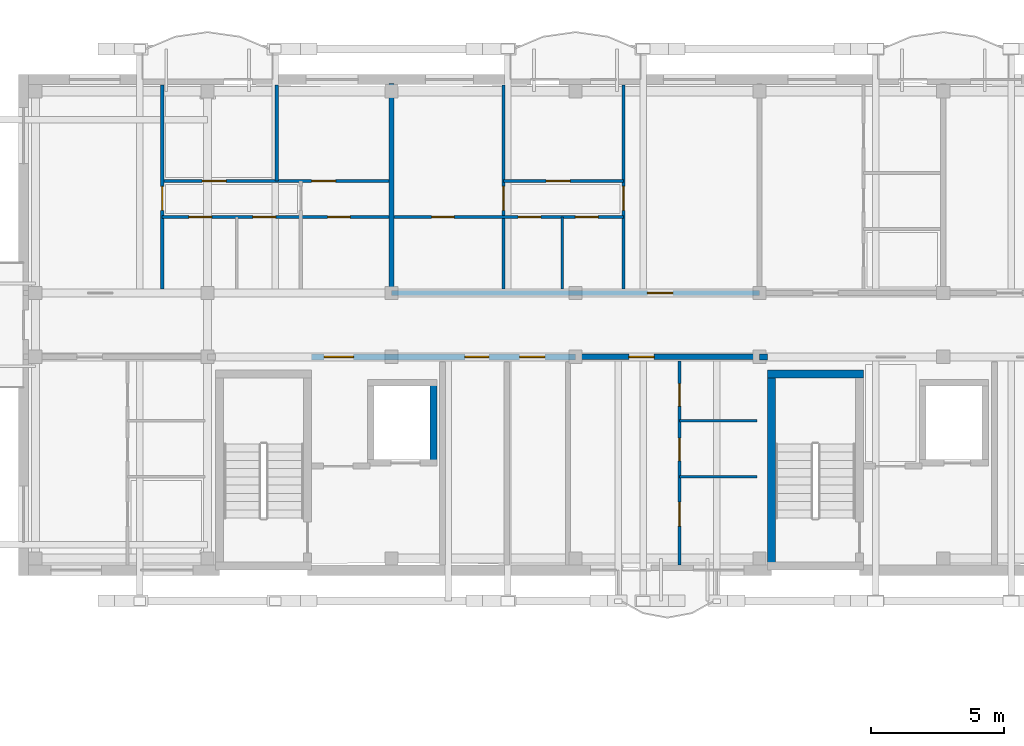
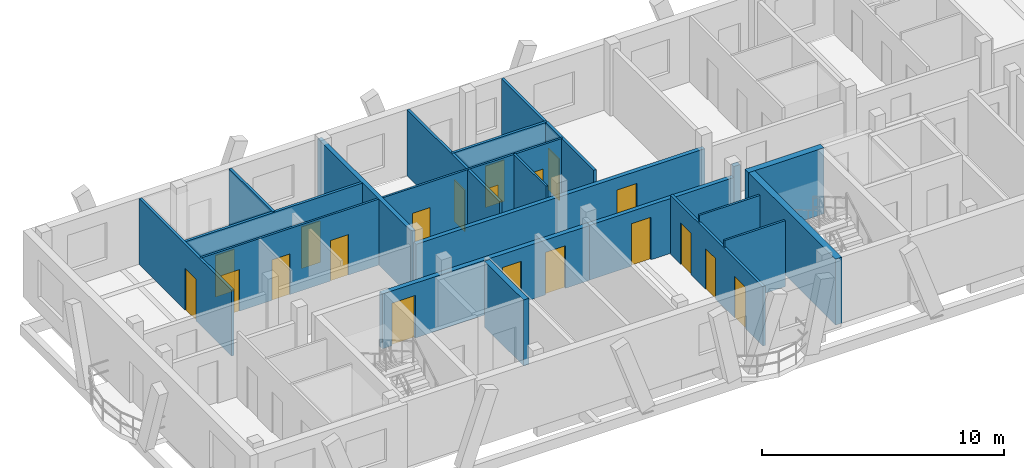
# One storey, part 152 of 189: 20 doors, 20 walls, 20 openings.
"""IFC4 building model written with IfcOpenShell, lengths in metres."""

from ifc_helpers import new_model, si_unit, direction, frame, frame_2d, origin, origin_with_axes, place, context, subcontext, project, spatial, rectangle, extrude, material, layer, layer_set, type_object, element, fill, save


model = new_model("IFC4")

# Units and contexts
model_context = context("Model", 3, precision=1e-05, world=origin(), true_north=direction((0.0, 1.0)))
body_context = subcontext(model_context, "Body", "Model", "MODEL_VIEW")
ifc_project = project(units=[si_unit("LENGTHUNIT", "METRE"), si_unit("AREAUNIT", "SQUARE_METRE"), si_unit("VOLUMEUNIT", "CUBIC_METRE"), si_unit("PLANEANGLEUNIT", "RADIAN"), si_unit("MASSUNIT", "GRAM", prefix="KILO")], contexts=[model_context])

# Site, building, storey
site_placement = place(None, origin())
site = spatial("IfcSite", under=ifc_project, at=site_placement, CompositionType="ELEMENT")
building_placement = place(site_placement, origin())
building = spatial("IfcBuilding", under=site, at=building_placement, Name="Zavelmont Quarter", CompositionType="ELEMENT")
storey_placement = place(building_placement, frame((0.0, 0.0, 4.39990234375)))
storey = spatial("IfcBuildingStorey", under=building, at=storey_placement, Name="L01", CompositionType="ELEMENT", Elevation=4.39990234375)

# Wall
ifc_material_1 = material(Name="Calcium-silicate blockwork and acoustic plaster", Category="masonry")
ifc_layer_1 = layer(ifc_material_1, 0.199951171875)
ifc_layer_set_1 = layer_set([ifc_layer_1], Name="Calcium-silicate blockwork and acoustic plaster")
wall_type_1 = type_object("IfcWallType", Name="IW01", PredefinedType="PARTITIONING", material=ifc_layer_set_1)
wall_1_placement = place(storey_placement, frame((13.800048828125, 108.14990234375, 0.0), z_axis=(0.0, 0.0, 1.0), x_axis=(0.0, 1.0, 0.0)))
element("IfcWall", 1, at=wall_1_placement, inside=storey, type_object=wall_type_1, Name="L01 Inter-dwelling compartment wall IW01", PredefinedType="PARTITIONING", context=body_context, shape_type="SweptSolid", body=[
    extrude(rectangle(XDim=7.7001953125, YDim=0.199951171875, at=frame_2d((3.85009765625, 0.0))), origin(), (0.0, 0.0, 1.0), 3.330078125),
])

# Wall, opening, door
wall_2_placement = place(storey_placement, frame((13.800048828125, 108.0, 0.0), z_axis=(0.0, 0.0, 1.0), x_axis=(1.0, 0.0, 0.0)))
wall_2 = element("IfcWall", 2, at=wall_2_placement, inside=storey, type_object=wall_type_1, Name="L01 Corridor compartment wall IW01", PredefinedType="PARTITIONING", context=body_context, shape_type="SweptSolid", body=[
    extrude(rectangle(XDim=13.800048828125, YDim=0.199951171875, at=frame_2d((6.89990234375, 0.0))), origin(), (0.0, 0.0, 1.0), 2.77001953125),
])
opening_1_placement = place(wall_2_placement, frame((9.60009765625, 0.0, 0.0)))
opening_1 = element("IfcOpeningElement", 3, at=opening_1_placement, cuts=wall_2, Name="Opening DR02", PredefinedType="OPENING", context=body_context, shape_type="SweptSolid", body=[
    extrude(rectangle(XDim=0.949951171875, YDim=2.14990234375, at=frame_2d((0.47509765625, 1.074951171875))), frame((0.0, 0.11181640625, 0.0), z_axis=(0.0, -1.0, 0.0), x_axis=(1.0, 0.0, 0.0)), (0.0, 0.0, 1.0), 0.223876953125),
])
ifc_material_2 = material(Name="Solid-core oak fire leaf in steel frame", Category="steel")
door_type_1 = type_object("IfcDoorType", Name="DR02", OperationType="NOTDEFINED", PredefinedType="DOOR", material=ifc_material_2)
door_1_placement = place(opening_1_placement, origin_with_axes())
door_1 = element("IfcDoor", 4, at=door_1_placement, inside=storey, type_object=door_type_1, Name="L01 door DR02", OperationType="SINGLE_SWING_RIGHT", OverallHeight=2.14990234375, OverallWidth=0.949951171875, PredefinedType="DOOR", context=body_context, shape_type="SweptSolid", body=[
    extrude(rectangle(XDim=0.949951171875, YDim=2.14990234375, at=frame_2d((0.47509765625, 1.074951171875))), frame((0.0, 0.02490234375, 0.0), z_axis=(0.0, -1.0, 0.0), x_axis=(1.0, 0.0, 0.0)), (0.0, 0.0, 1.0), 0.050048828125),
])
fill(opening_1, door_1)

wall_3_placement = place(storey_placement, frame((20.699951171875, 105.60009765625, 0.0), z_axis=(0.0, 0.0, 1.0), x_axis=(1.0, 0.0, 0.0)))
wall_3 = element("IfcWall", 5, at=wall_3_placement, inside=storey, type_object=wall_type_1, Name="L01 Corridor compartment wall IW01", PredefinedType="PARTITIONING", context=body_context, shape_type="SweptSolid", body=[
    extrude(rectangle(XDim=6.900146484375, YDim=0.199951171875, at=frame_2d((3.4501953125, 0.0))), origin(), (0.0, 0.0, 1.0), 2.77001953125),
])
opening_2_placement = place(wall_3_placement, frame((2.0, 0.0, 0.0)))
opening_2 = element("IfcOpeningElement", 6, at=opening_2_placement, cuts=wall_3, Name="Opening DR02", PredefinedType="OPENING", context=body_context, shape_type="SweptSolid", body=[
    extrude(rectangle(XDim=0.949951171875, YDim=2.14990234375, at=frame_2d((0.47509765625, 1.074951171875))), frame((0.0, 0.11181640625, 0.0), z_axis=(0.0, -1.0, 0.0), x_axis=(1.0, 0.0, 0.0)), (0.0, 0.0, 1.0), 0.223876953125),
])
door_2_placement = place(opening_2_placement, frame((0.949951171875, 0.0, 0.0), z_axis=(0.0, 0.0, 1.0), x_axis=(-1.0, 0.0, 0.0)))
door_2 = element("IfcDoor", 7, at=door_2_placement, inside=storey, type_object=door_type_1, Name="L01 door DR02", OperationType="SINGLE_SWING_RIGHT", OverallHeight=2.14990234375, OverallWidth=0.949951171875, PredefinedType="DOOR", context=body_context, shape_type="SweptSolid", body=[
    extrude(rectangle(XDim=0.949951171875, YDim=2.14990234375, at=frame_2d((0.47509765625, 1.074951171875))), frame((0.0, 0.02490234375, 0.0), z_axis=(0.0, -1.0, 0.0), x_axis=(1.0, 0.0, 0.0)), (0.0, 0.0, 1.0), 0.050048828125),
])
fill(opening_2, door_2)

# Wall, openings, doors
ifc_material_3 = material(Name="Reinforced masonry fire compartment wall", Category="masonry")
ifc_layer_2 = layer(ifc_material_3, 0.22509765625)
ifc_layer_set_2 = layer_set([ifc_layer_2], Name="Reinforced masonry fire compartment wall")
wall_type_2 = type_object("IfcWallType", Name="IW02", PredefinedType="PARTITIONING", material=ifc_layer_set_2)
wall_4_placement = place(storey_placement, frame((10.800048828125, 105.60009765625, 0.0), z_axis=(0.0, 0.0, 1.0), x_axis=(1.0, 0.0, 0.0)))
wall_4 = element("IfcWall", 8, at=wall_4_placement, inside=storey, type_object=wall_type_2, Name="L01 Core corridor fire wall IW02", PredefinedType="PARTITIONING", context=body_context, shape_type="SweptSolid", body=[
    extrude(rectangle(XDim=9.89990234375, YDim=0.22509765625, at=frame_2d((4.949951171875, 0.0))), origin(), (0.0, 0.0, 1.0), 2.77001953125),
])
opening_3_placement = place(wall_4_placement, frame((0.47509765625, 0.0, 0.0)))
opening_3 = element("IfcOpeningElement", 9, at=opening_3_placement, cuts=wall_4, Name="Opening DR10", PredefinedType="OPENING", context=body_context, shape_type="SweptSolid", body=[
    extrude(rectangle(XDim=1.10009765625, YDim=2.14990234375, at=frame_2d((0.550048828125, 1.074951171875))), frame((0.0, 0.12451171875, 0.0), z_axis=(0.0, -1.0, 0.0), x_axis=(1.0, 0.0, 0.0)), (0.0, 0.0, 1.0), 0.2490234375),
])
opening_4_placement = place(wall_4_placement, frame((5.75, 0.0, 0.0)))
opening_4 = element("IfcOpeningElement", 10, at=opening_4_placement, cuts=wall_4, Name="Opening DR11", PredefinedType="OPENING", context=body_context, shape_type="SweptSolid", body=[
    extrude(rectangle(XDim=0.89990234375, YDim=2.10009765625, at=frame_2d((0.449951171875, 1.050048828125))), frame((0.0, 0.12451171875, 0.0), z_axis=(0.0, -1.0, 0.0), x_axis=(1.0, 0.0, 0.0)), (0.0, 0.0, 1.0), 0.2490234375),
])
opening_5_placement = place(wall_4_placement, frame((7.800048828125, 0.0, 0.0)))
opening_5 = element("IfcOpeningElement", 11, at=opening_5_placement, cuts=wall_4, Name="Opening DR02", PredefinedType="OPENING", context=body_context, shape_type="SweptSolid", body=[
    extrude(rectangle(XDim=0.949951171875, YDim=2.14990234375, at=frame_2d((0.47509765625, 1.074951171875))), frame((0.0, 0.12451171875, 0.0), z_axis=(0.0, -1.0, 0.0), x_axis=(1.0, 0.0, 0.0)), (0.0, 0.0, 1.0), 0.2490234375),
])
door_3_placement = place(opening_5_placement, origin_with_axes())
door_3 = element("IfcDoor", 12, at=door_3_placement, inside=storey, type_object=door_type_1, Name="Auxiliary store corridor door", OperationType="SINGLE_SWING_RIGHT", OverallHeight=2.14990234375, OverallWidth=0.949951171875, PredefinedType="DOOR", context=body_context, shape_type="SweptSolid", body=[
    extrude(rectangle(XDim=0.949951171875, YDim=2.14990234375, at=frame_2d((0.47509765625, 1.074951171875))), frame((0.0, 0.02490234375, 0.0), z_axis=(0.0, -1.0, 0.0), x_axis=(1.0, 0.0, 0.0)), (0.0, 0.0, 1.0), 0.050048828125),
])
fill(opening_5, door_3)
ifc_material_4 = material(Name="Painted steel lobby fire door", Category="steel")
door_type_2 = type_object("IfcDoorType", Name="DR10", OperationType="NOTDEFINED", PredefinedType="DOOR", material=ifc_material_4)
door_4_placement = place(opening_3_placement, frame((1.10009765625, 0.0, 0.0), z_axis=(0.0, 0.0, 1.0), x_axis=(-1.0, 0.0, 0.0)))
door_4 = element("IfcDoor", 13, at=door_4_placement, inside=storey, type_object=door_type_2, Name="Core vestibule fire door", OperationType="SINGLE_SWING_RIGHT", OverallHeight=2.14990234375, OverallWidth=1.10009765625, PredefinedType="DOOR", context=body_context, shape_type="SweptSolid", body=[
    extrude(rectangle(XDim=1.10009765625, YDim=2.14990234375, at=frame_2d((0.550048828125, 1.074951171875))), frame((0.0, 0.02490234375, 0.0), z_axis=(0.0, -1.0, 0.0), x_axis=(1.0, 0.0, 0.0)), (0.0, 0.0, 1.0), 0.050048828125),
])
fill(opening_3, door_4)
ifc_material_5 = material(Name="Painted steel service-riser fire door", Category="steel")
door_type_3 = type_object("IfcDoorType", Name="DR11", OperationType="NOTDEFINED", PredefinedType="DOOR", material=ifc_material_5)
door_5_placement = place(opening_4_placement, origin_with_axes())
door_5 = element("IfcDoor", 14, at=door_5_placement, inside=storey, type_object=door_type_3, Name="Service riser fire door", OperationType="SINGLE_SWING_LEFT", OverallHeight=2.10009765625, OverallWidth=0.89990234375, PredefinedType="DOOR", context=body_context, shape_type="SweptSolid", body=[
    extrude(rectangle(XDim=0.89990234375, YDim=2.10009765625, at=frame_2d((0.449951171875, 1.050048828125))), frame((0.0, 0.02490234375, 0.0), z_axis=(0.0, -1.0, 0.0), x_axis=(1.0, 0.0, 0.0)), (0.0, 0.0, 1.0), 0.050048828125),
])
fill(opening_4, door_5)

# Wall
wall_5_placement = place(storey_placement, frame((27.60009765625, 105.60009765625, 0.0), z_axis=(0.0, 0.0, 1.0), x_axis=(1.0, 0.0, 0.0)))
element("IfcWall", 15, at=wall_5_placement, inside=storey, type_object=wall_type_2, Name="L01 Core corridor wall IW02", PredefinedType="PARTITIONING", context=body_context, shape_type="SweptSolid", body=[
    extrude(rectangle(XDim=0.2998046875, YDim=0.22509765625, at=frame_2d((0.14990234375, 0.0))), origin(), (0.0, 0.0, 1.0), 3.330078125),
])

# Wall, opening, door
ifc_material_6 = material(Name="Double gypsum board on acoustic steel stud", Category="steel")
ifc_layer_3 = layer(ifc_material_6, 0.125)
ifc_layer_set_3 = layer_set([ifc_layer_3], Name="Double gypsum board on acoustic steel stud")
wall_type_3 = type_object("IfcWallType", Name="IW03", PredefinedType="PARTITIONING", material=ifc_layer_set_3)
wall_6_placement = place(storey_placement, frame((5.199951171875, 108.14990234375, 0.0), z_axis=(0.0, 0.0, 1.0), x_axis=(0.0, 1.0, 0.0)))
wall_6 = element("IfcWall", 16, at=wall_6_placement, inside=storey, type_object=wall_type_3, Name="L01 Partition IW03", PredefinedType="PARTITIONING", context=body_context, shape_type="SweptSolid", body=[
    extrude(rectangle(XDim=7.650146484375, YDim=0.125, at=frame_2d((3.8251953125, 0.0))), origin(), (0.0, 0.0, 1.0), 3.330078125),
])
opening_6_placement = place(wall_6_placement, frame((2.949951171875, 0.0, 0.0)))
opening_6 = element("IfcOpeningElement", 17, at=opening_6_placement, cuts=wall_6, Name="Opening DR05", PredefinedType="OPENING", context=body_context, shape_type="SweptSolid", body=[
    extrude(rectangle(XDim=0.89990234375, YDim=2.10009765625, at=frame_2d((0.449951171875, 1.050048828125))), frame((0.0, 0.074462890625, 0.0), z_axis=(0.0, -1.0, 0.0), x_axis=(1.0, 0.0, 0.0)), (0.0, 0.0, 1.0), 0.14892578125),
])
ifc_material_7 = material(Name="Engineered oak flush interior door")
door_type_4 = type_object("IfcDoorType", Name="DR05", OperationType="NOTDEFINED", PredefinedType="DOOR", material=ifc_material_7)
door_6_placement = place(opening_6_placement, frame((0.89990234375, 0.0, 0.0), z_axis=(0.0, 0.0, 1.0), x_axis=(-1.0, 0.0, 0.0)))
door_6 = element("IfcDoor", 18, at=door_6_placement, inside=storey, type_object=door_type_4, Name="L01 door DR05", OperationType="SINGLE_SWING_LEFT", OverallHeight=2.10009765625, OverallWidth=0.89990234375, PredefinedType="DOOR", context=body_context, shape_type="SweptSolid", body=[
    extrude(rectangle(XDim=0.89990234375, YDim=2.10009765625, at=frame_2d((0.449951171875, 1.050048828125))), frame((0.0, 0.02490234375, 0.0), z_axis=(0.0, -1.0, 0.0), x_axis=(1.0, 0.0, 0.0)), (0.0, 0.0, 1.0), 0.050048828125),
])
fill(opening_6, door_6)

# Wall
wall_7_placement = place(storey_placement, frame((9.5, 112.199951171875, 0.0), z_axis=(0.0, 0.0, 1.0), x_axis=(0.0, 1.0, 0.0)))
element("IfcWall", 19, at=wall_7_placement, inside=storey, type_object=wall_type_3, Name="L01 Partition IW03", PredefinedType="PARTITIONING", context=body_context, shape_type="SweptSolid", body=[
    extrude(rectangle(XDim=3.60009765625, YDim=0.125, at=frame_2d((1.800048828125, 0.0))), origin(), (0.0, 0.0, 1.0), 3.330078125),
])

# Wall, openings, doors
wall_8_placement = place(storey_placement, frame((5.199951171875, 112.199951171875, 0.0), z_axis=(0.0, 0.0, 1.0), x_axis=(1.0, 0.0, 0.0)))
wall_8 = element("IfcWall", 20, at=wall_8_placement, inside=storey, type_object=wall_type_3, Name="L01 Partition IW03", PredefinedType="PARTITIONING", context=body_context, shape_type="SweptSolid", body=[
    extrude(rectangle(XDim=8.5, YDim=0.125, at=frame_2d((4.25, 0.0))), origin(), (0.0, 0.0, 1.0), 3.330078125),
])
opening_7_placement = place(wall_8_placement, frame((1.5, 0.0, 0.0)))
opening_7 = element("IfcOpeningElement", 21, at=opening_7_placement, cuts=wall_8, Name="Opening DR05", PredefinedType="OPENING", context=body_context, shape_type="SweptSolid", body=[
    extrude(rectangle(XDim=0.89990234375, YDim=2.10009765625, at=frame_2d((0.449951171875, 1.050048828125))), frame((0.0, 0.074462890625, 0.0), z_axis=(0.0, -1.0, 0.0), x_axis=(1.0, 0.0, 0.0)), (0.0, 0.0, 1.0), 0.14892578125),
])
opening_8_placement = place(wall_8_placement, frame((5.60009765625, 0.0, 0.0)))
opening_8 = element("IfcOpeningElement", 22, at=opening_8_placement, cuts=wall_8, Name="Opening DR05", PredefinedType="OPENING", context=body_context, shape_type="SweptSolid", body=[
    extrude(rectangle(XDim=0.89990234375, YDim=2.10009765625, at=frame_2d((0.449951171875, 1.050048828125))), frame((0.0, 0.074462890625, 0.0), z_axis=(0.0, -1.0, 0.0), x_axis=(1.0, 0.0, 0.0)), (0.0, 0.0, 1.0), 0.14892578125),
])
door_7_placement = place(opening_7_placement, origin_with_axes())
door_7 = element("IfcDoor", 23, at=door_7_placement, inside=storey, type_object=door_type_4, Name="L01 door DR05", OperationType="SINGLE_SWING_RIGHT", OverallHeight=2.10009765625, OverallWidth=0.89990234375, PredefinedType="DOOR", context=body_context, shape_type="SweptSolid", body=[
    extrude(rectangle(XDim=0.89990234375, YDim=2.10009765625, at=frame_2d((0.449951171875, 1.050048828125))), frame((0.0, 0.02490234375, 0.0), z_axis=(0.0, -1.0, 0.0), x_axis=(1.0, 0.0, 0.0)), (0.0, 0.0, 1.0), 0.050048828125),
])
fill(opening_7, door_7)
door_8_placement = place(opening_8_placement, frame((0.89990234375, 0.0, 0.0), z_axis=(0.0, 0.0, 1.0), x_axis=(-1.0, 0.0, 0.0)))
door_8 = element("IfcDoor", 24, at=door_8_placement, inside=storey, type_object=door_type_4, Name="L01 door DR05", OperationType="SINGLE_SWING_LEFT", OverallHeight=2.10009765625, OverallWidth=0.89990234375, PredefinedType="DOOR", context=body_context, shape_type="SweptSolid", body=[
    extrude(rectangle(XDim=0.89990234375, YDim=2.10009765625, at=frame_2d((0.449951171875, 1.050048828125))), frame((0.0, 0.02490234375, 0.0), z_axis=(0.0, -1.0, 0.0), x_axis=(1.0, 0.0, 0.0)), (0.0, 0.0, 1.0), 0.050048828125),
])
fill(opening_8, door_8)

# Wall, opening, door
wall_9_placement = place(storey_placement, frame((22.5, 108.14990234375, 0.0), z_axis=(0.0, 0.0, 1.0), x_axis=(0.0, 1.0, 0.0)))
wall_9 = element("IfcWall", 25, at=wall_9_placement, inside=storey, type_object=wall_type_3, Name="L01 Partition IW03", PredefinedType="PARTITIONING", context=body_context, shape_type="SweptSolid", body=[
    extrude(rectangle(XDim=7.650146484375, YDim=0.125, at=frame_2d((3.8251953125, 0.0))), origin(), (0.0, 0.0, 1.0), 3.330078125),
])
opening_9_placement = place(wall_9_placement, frame((2.949951171875, 0.0, 0.0)))
opening_9 = element("IfcOpeningElement", 26, at=opening_9_placement, cuts=wall_9, Name="Opening DR05", PredefinedType="OPENING", context=body_context, shape_type="SweptSolid", body=[
    extrude(rectangle(XDim=0.89990234375, YDim=2.10009765625, at=frame_2d((0.449951171875, 1.050048828125))), frame((0.0, 0.074462890625, 0.0), z_axis=(0.0, -1.0, 0.0), x_axis=(1.0, 0.0, 0.0)), (0.0, 0.0, 1.0), 0.14892578125),
])
door_9_placement = place(opening_9_placement, frame((0.89990234375, 0.0, 0.0), z_axis=(0.0, 0.0, 1.0), x_axis=(-1.0, 0.0, 0.0)))
door_9 = element("IfcDoor", 27, at=door_9_placement, inside=storey, type_object=door_type_4, Name="L01 door DR05", OperationType="SINGLE_SWING_RIGHT", OverallHeight=2.10009765625, OverallWidth=0.89990234375, PredefinedType="DOOR", context=body_context, shape_type="SweptSolid", body=[
    extrude(rectangle(XDim=0.89990234375, YDim=2.10009765625, at=frame_2d((0.449951171875, 1.050048828125))), frame((0.0, 0.02490234375, 0.0), z_axis=(0.0, -1.0, 0.0), x_axis=(1.0, 0.0, 0.0)), (0.0, 0.0, 1.0), 0.050048828125),
])
fill(opening_9, door_9)

wall_10_placement = place(storey_placement, frame((18.0, 108.14990234375, 0.0), z_axis=(0.0, 0.0, 1.0), x_axis=(0.0, 1.0, 0.0)))
wall_10 = element("IfcWall", 28, at=wall_10_placement, inside=storey, type_object=wall_type_3, Name="L01 Partition IW03", PredefinedType="PARTITIONING", context=body_context, shape_type="SweptSolid", body=[
    extrude(rectangle(XDim=7.650146484375, YDim=0.125, at=frame_2d((3.8251953125, 0.0))), origin(), (0.0, 0.0, 1.0), 3.330078125),
])
opening_10_placement = place(wall_10_placement, frame((2.949951171875, 0.0, 0.0)))
opening_10 = element("IfcOpeningElement", 29, at=opening_10_placement, cuts=wall_10, Name="Opening DR05", PredefinedType="OPENING", context=body_context, shape_type="SweptSolid", body=[
    extrude(rectangle(XDim=0.89990234375, YDim=2.10009765625, at=frame_2d((0.449951171875, 1.050048828125))), frame((0.0, 0.074462890625, 0.0), z_axis=(0.0, -1.0, 0.0), x_axis=(1.0, 0.0, 0.0)), (0.0, 0.0, 1.0), 0.14892578125),
])
door_10_placement = place(opening_10_placement, origin_with_axes())
door_10 = element("IfcDoor", 30, at=door_10_placement, inside=storey, type_object=door_type_4, Name="L01 door DR05", OperationType="SINGLE_SWING_LEFT", OverallHeight=2.10009765625, OverallWidth=0.89990234375, PredefinedType="DOOR", context=body_context, shape_type="SweptSolid", body=[
    extrude(rectangle(XDim=0.89990234375, YDim=2.10009765625, at=frame_2d((0.449951171875, 1.050048828125))), frame((0.0, 0.02490234375, 0.0), z_axis=(0.0, -1.0, 0.0), x_axis=(1.0, 0.0, 0.0)), (0.0, 0.0, 1.0), 0.050048828125),
])
fill(opening_10, door_10)

wall_11_placement = place(storey_placement, frame((18.0, 112.199951171875, 0.0), z_axis=(0.0, 0.0, 1.0), x_axis=(1.0, 0.0, 0.0)))
wall_11 = element("IfcWall", 31, at=wall_11_placement, inside=storey, type_object=wall_type_3, Name="L01 Partition IW03", PredefinedType="PARTITIONING", context=body_context, shape_type="SweptSolid", body=[
    extrude(rectangle(XDim=4.5, YDim=0.125, at=frame_2d((2.25, 0.0))), origin(), (0.0, 0.0, 1.0), 3.330078125),
])
opening_11_placement = place(wall_11_placement, frame((1.60009765625, 0.0, 0.0)))
opening_11 = element("IfcOpeningElement", 32, at=opening_11_placement, cuts=wall_11, Name="Opening DR05", PredefinedType="OPENING", context=body_context, shape_type="SweptSolid", body=[
    extrude(rectangle(XDim=0.89990234375, YDim=2.10009765625, at=frame_2d((0.449951171875, 1.050048828125))), frame((0.0, 0.074462890625, 0.0), z_axis=(0.0, -1.0, 0.0), x_axis=(1.0, 0.0, 0.0)), (0.0, 0.0, 1.0), 0.14892578125),
])
door_11_placement = place(opening_11_placement, origin_with_axes())
door_11 = element("IfcDoor", 33, at=door_11_placement, inside=storey, type_object=door_type_4, Name="L01 door DR05", OperationType="SINGLE_SWING_LEFT", OverallHeight=2.10009765625, OverallWidth=0.89990234375, PredefinedType="DOOR", context=body_context, shape_type="SweptSolid", body=[
    extrude(rectangle(XDim=0.89990234375, YDim=2.10009765625, at=frame_2d((0.449951171875, 1.050048828125))), frame((0.0, 0.02490234375, 0.0), z_axis=(0.0, -1.0, 0.0), x_axis=(1.0, 0.0, 0.0)), (0.0, 0.0, 1.0), 0.050048828125),
])
fill(opening_11, door_11)

# Wall, openings, doors
wall_12_placement = place(storey_placement, frame((24.60009765625, 105.449951171875, 0.0), z_axis=(0.0, 0.0, 1.0), x_axis=(0.0, -1.0, 0.0)))
wall_12 = element("IfcWall", 34, at=wall_12_placement, inside=storey, type_object=wall_type_3, Name="L01 Partition IW03", PredefinedType="PARTITIONING", context=body_context, shape_type="SweptSolid", body=[
    extrude(rectangle(XDim=7.64990234375, YDim=0.125, at=frame_2d((3.824951171875, 0.0))), origin(), (0.0, 0.0, 1.0), 2.989990234375),
])
opening_12_placement = place(wall_12_placement, frame((0.85009765625, 0.0, 0.0)))
opening_12 = element("IfcOpeningElement", 35, at=opening_12_placement, cuts=wall_12, Name="Opening DR16", PredefinedType="OPENING", context=body_context, shape_type="SweptSolid", body=[
    extrude(rectangle(XDim=0.85009765625, YDim=2.10009765625, at=frame_2d((0.425048828125, 1.050048828125))), frame((0.0, 0.074462890625, 0.0), z_axis=(0.0, -1.0, 0.0), x_axis=(1.0, 0.0, 0.0)), (0.0, 0.0, 1.0), 0.14892578125),
])
opening_13_placement = place(wall_12_placement, frame((2.89990234375, 0.0, 0.0)))
opening_13 = element("IfcOpeningElement", 36, at=opening_13_placement, cuts=wall_12, Name="Opening DR06", PredefinedType="OPENING", context=body_context, shape_type="SweptSolid", body=[
    extrude(rectangle(XDim=0.85009765625, YDim=2.050048828125, at=frame_2d((0.425048828125, 1.02490234375))), frame((0.0, 0.074462890625, 0.0), z_axis=(0.0, -1.0, 0.0), x_axis=(1.0, 0.0, 0.0)), (0.0, 0.0, 1.0), 0.14892578125),
])
opening_14_placement = place(wall_12_placement, frame((5.300048828125, 0.0, 0.0)))
opening_14 = element("IfcOpeningElement", 37, at=opening_14_placement, cuts=wall_12, Name="Opening DR05", PredefinedType="OPENING", context=body_context, shape_type="SweptSolid", body=[
    extrude(rectangle(XDim=0.89990234375, YDim=2.10009765625, at=frame_2d((0.449951171875, 1.050048828125))), frame((0.0, 0.074462890625, 0.0), z_axis=(0.0, -1.0, 0.0), x_axis=(1.0, 0.0, 0.0)), (0.0, 0.0, 1.0), 0.14892578125),
])
door_12_placement = place(opening_14_placement, origin_with_axes())
door_12 = element("IfcDoor", 38, at=door_12_placement, inside=storey, type_object=door_type_4, Name="L01 door DR05", OperationType="SINGLE_SWING_RIGHT", OverallHeight=2.10009765625, OverallWidth=0.89990234375, PredefinedType="DOOR", context=body_context, shape_type="SweptSolid", body=[
    extrude(rectangle(XDim=0.89990234375, YDim=2.10009765625, at=frame_2d((0.449951171875, 1.050048828125))), frame((0.0, 0.02490234375, 0.0), z_axis=(0.0, -1.0, 0.0), x_axis=(1.0, 0.0, 0.0)), (0.0, 0.0, 1.0), 0.050048828125),
])
fill(opening_14, door_12)
ifc_material_8 = material(Name="Moisture-resistant painted wet-room door")
door_type_5 = type_object("IfcDoorType", Name="DR06", OperationType="NOTDEFINED", PredefinedType="DOOR", material=ifc_material_8)
door_13_placement = place(opening_13_placement, frame((0.85009765625, 0.0, 0.0), z_axis=(0.0, 0.0, 1.0), x_axis=(-1.0, 0.0, 0.0)))
door_13 = element("IfcDoor", 39, at=door_13_placement, inside=storey, type_object=door_type_5, Name="L01 door DR06", OperationType="SINGLE_SWING_LEFT", OverallHeight=2.050048828125, OverallWidth=0.85009765625, PredefinedType="DOOR", context=body_context, shape_type="SweptSolid", body=[
    extrude(rectangle(XDim=0.85009765625, YDim=2.050048828125, at=frame_2d((0.425048828125, 1.02490234375))), frame((0.0, 0.02490234375, 0.0), z_axis=(0.0, -1.0, 0.0), x_axis=(1.0, 0.0, 0.0)), (0.0, 0.0, 1.0), 0.050048828125),
])
fill(opening_13, door_13)
door_type_6 = type_object("IfcDoorType", Name="DR16", OperationType="NOTDEFINED", PredefinedType="DOOR", material=ifc_material_7)
door_14_placement = place(opening_12_placement, origin_with_axes())
door_14 = element("IfcDoor", 40, at=door_14_placement, inside=storey, type_object=door_type_6, Name="L01 door DR16", OperationType="SINGLE_SWING_RIGHT", OverallHeight=2.10009765625, OverallWidth=0.85009765625, PredefinedType="DOOR", context=body_context, shape_type="SweptSolid", body=[
    extrude(rectangle(XDim=0.85009765625, YDim=2.10009765625, at=frame_2d((0.425048828125, 1.050048828125))), frame((0.0, 0.02490234375, 0.0), z_axis=(0.0, -1.0, 0.0), x_axis=(1.0, 0.0, 0.0)), (0.0, 0.0, 1.0), 0.050048828125),
])
fill(opening_12, door_14)

ifc_material_9 = material(Name="Moisture-resistant gypsum board on steel stud", Category="steel")
ifc_layer_4 = layer(ifc_material_9, 0.10009765625)
ifc_layer_set_4 = layer_set([ifc_layer_4], Name="Moisture-resistant gypsum board on steel stud")
wall_type_4 = type_object("IfcWallType", Name="IW04", PredefinedType="PARTITIONING", material=ifc_layer_set_4)
wall_13_placement = place(storey_placement, frame((5.199951171875, 110.85009765625, 0.0), z_axis=(0.0, 0.0, 1.0), x_axis=(1.0, 0.0, 0.0)))
wall_13 = element("IfcWall", 41, at=wall_13_placement, inside=storey, type_object=wall_type_4, Name="L01 Partition IW04", PredefinedType="PARTITIONING", context=body_context, shape_type="SweptSolid", body=[
    extrude(rectangle(XDim=8.5, YDim=0.10009765625, at=frame_2d((4.25, 0.0))), origin(), (0.0, 0.0, 1.0), 3.330078125),
])
opening_15_placement = place(wall_13_placement, frame((1.0, 0.0, 0.0)))
opening_15 = element("IfcOpeningElement", 42, at=opening_15_placement, cuts=wall_13, Name="Opening DR16", PredefinedType="OPENING", context=body_context, shape_type="SweptSolid", body=[
    extrude(rectangle(XDim=0.85009765625, YDim=2.10009765625, at=frame_2d((0.425048828125, 1.050048828125))), frame((0.0, 0.06201171875, 0.0), z_axis=(0.0, -1.0, 0.0), x_axis=(1.0, 0.0, 0.0)), (0.0, 0.0, 1.0), 0.1240234375),
])
opening_16_placement = place(wall_13_placement, frame((3.39990234375, 0.0, 0.0)))
opening_16 = element("IfcOpeningElement", 43, at=opening_16_placement, cuts=wall_13, Name="Opening DR06", PredefinedType="OPENING", context=body_context, shape_type="SweptSolid", body=[
    extrude(rectangle(XDim=0.85009765625, YDim=2.050048828125, at=frame_2d((0.425048828125, 1.02490234375))), frame((0.0, 0.06201171875, 0.0), z_axis=(0.0, -1.0, 0.0), x_axis=(1.0, 0.0, 0.0)), (0.0, 0.0, 1.0), 0.1240234375),
])
opening_17_placement = place(wall_13_placement, frame((6.199951171875, 0.0, 0.0)))
opening_17 = element("IfcOpeningElement", 44, at=opening_17_placement, cuts=wall_13, Name="Opening DR06", PredefinedType="OPENING", context=body_context, shape_type="SweptSolid", body=[
    extrude(rectangle(XDim=0.85009765625, YDim=2.050048828125, at=frame_2d((0.425048828125, 1.02490234375))), frame((0.0, 0.06201171875, 0.0), z_axis=(0.0, -1.0, 0.0), x_axis=(1.0, 0.0, 0.0)), (0.0, 0.0, 1.0), 0.1240234375),
])
door_15_placement = place(opening_16_placement, origin_with_axes())
door_15 = element("IfcDoor", 45, at=door_15_placement, inside=storey, type_object=door_type_5, Name="L01 door DR06", OperationType="SINGLE_SWING_RIGHT", OverallHeight=2.050048828125, OverallWidth=0.85009765625, PredefinedType="DOOR", context=body_context, shape_type="SweptSolid", body=[
    extrude(rectangle(XDim=0.85009765625, YDim=2.050048828125, at=frame_2d((0.425048828125, 1.02490234375))), frame((0.0, 0.02490234375, 0.0), z_axis=(0.0, -1.0, 0.0), x_axis=(1.0, 0.0, 0.0)), (0.0, 0.0, 1.0), 0.050048828125),
])
fill(opening_16, door_15)
door_16_placement = place(opening_17_placement, frame((0.85009765625, 0.0, 0.0), z_axis=(0.0, 0.0, 1.0), x_axis=(-1.0, 0.0, 0.0)))
door_16 = element("IfcDoor", 46, at=door_16_placement, inside=storey, type_object=door_type_5, Name="L01 door DR06", OperationType="SINGLE_SWING_LEFT", OverallHeight=2.050048828125, OverallWidth=0.85009765625, PredefinedType="DOOR", context=body_context, shape_type="SweptSolid", body=[
    extrude(rectangle(XDim=0.85009765625, YDim=2.050048828125, at=frame_2d((0.425048828125, 1.02490234375))), frame((0.0, 0.02490234375, 0.0), z_axis=(0.0, -1.0, 0.0), x_axis=(1.0, 0.0, 0.0)), (0.0, 0.0, 1.0), 0.050048828125),
])
fill(opening_17, door_16)
door_17_placement = place(opening_15_placement, frame((0.85009765625, 0.0, 0.0), z_axis=(0.0, 0.0, 1.0), x_axis=(-1.0, 0.0, 0.0)))
door_17 = element("IfcDoor", 47, at=door_17_placement, inside=storey, type_object=door_type_6, Name="L01 door DR16", OperationType="SINGLE_SWING_LEFT", OverallHeight=2.10009765625, OverallWidth=0.85009765625, PredefinedType="DOOR", context=body_context, shape_type="SweptSolid", body=[
    extrude(rectangle(XDim=0.85009765625, YDim=2.10009765625, at=frame_2d((0.425048828125, 1.050048828125))), frame((0.0, 0.02490234375, 0.0), z_axis=(0.0, -1.0, 0.0), x_axis=(1.0, 0.0, 0.0)), (0.0, 0.0, 1.0), 0.050048828125),
])
fill(opening_15, door_17)

# Wall
wall_14_placement = place(storey_placement, frame((20.199951171875, 108.14990234375, 0.0), z_axis=(0.0, 0.0, 1.0), x_axis=(0.0, 1.0, 0.0)))
element("IfcWall", 48, at=wall_14_placement, inside=storey, type_object=wall_type_4, Name="L01 Partition IW04", PredefinedType="PARTITIONING", context=body_context, shape_type="SweptSolid", body=[
    extrude(rectangle(XDim=2.7001953125, YDim=0.10009765625, at=frame_2d((1.35009765625, 0.0))), origin(), (0.0, 0.0, 1.0), 3.330078125),
])

# Wall, openings, doors
wall_15_placement = place(storey_placement, frame((13.89990234375, 110.85009765625, 0.0), z_axis=(0.0, 0.0, 1.0), x_axis=(1.0, 0.0, 0.0)))
wall_15 = element("IfcWall", 49, at=wall_15_placement, inside=storey, type_object=wall_type_4, Name="L01 Partition IW04", PredefinedType="PARTITIONING", context=body_context, shape_type="SweptSolid", body=[
    extrude(rectangle(XDim=8.60009765625, YDim=0.10009765625, at=frame_2d((4.300048828125, 0.0))), origin(), (0.0, 0.0, 1.0), 3.330078125),
])
opening_18_placement = place(wall_15_placement, frame((1.39990234375, 0.0, 0.0)))
opening_18 = element("IfcOpeningElement", 50, at=opening_18_placement, cuts=wall_15, Name="Opening DR06", PredefinedType="OPENING", context=body_context, shape_type="SweptSolid", body=[
    extrude(rectangle(XDim=0.85009765625, YDim=2.050048828125, at=frame_2d((0.425048828125, 1.02490234375))), frame((0.0, 0.06201171875, 0.0), z_axis=(0.0, -1.0, 0.0), x_axis=(1.0, 0.0, 0.0)), (0.0, 0.0, 1.0), 0.1240234375),
])
opening_19_placement = place(wall_15_placement, frame((4.64990234375, 0.0, 0.0)))
opening_19 = element("IfcOpeningElement", 51, at=opening_19_placement, cuts=wall_15, Name="Opening DR06", PredefinedType="OPENING", context=body_context, shape_type="SweptSolid", body=[
    extrude(rectangle(XDim=0.85009765625, YDim=2.050048828125, at=frame_2d((0.425048828125, 1.02490234375))), frame((0.0, 0.06201171875, 0.0), z_axis=(0.0, -1.0, 0.0), x_axis=(1.0, 0.0, 0.0)), (0.0, 0.0, 1.0), 0.1240234375),
])
opening_20_placement = place(wall_15_placement, frame((6.800048828125, 0.0, 0.0)))
opening_20 = element("IfcOpeningElement", 52, at=opening_20_placement, cuts=wall_15, Name="Opening DR16", PredefinedType="OPENING", context=body_context, shape_type="SweptSolid", body=[
    extrude(rectangle(XDim=0.85009765625, YDim=2.10009765625, at=frame_2d((0.425048828125, 1.050048828125))), frame((0.0, 0.06201171875, 0.0), z_axis=(0.0, -1.0, 0.0), x_axis=(1.0, 0.0, 0.0)), (0.0, 0.0, 1.0), 0.1240234375),
])
door_18_placement = place(opening_18_placement, frame((0.85009765625, 0.0, 0.0), z_axis=(0.0, 0.0, 1.0), x_axis=(-1.0, 0.0, 0.0)))
door_18 = element("IfcDoor", 53, at=door_18_placement, inside=storey, type_object=door_type_5, Name="L01 door DR06", OperationType="SINGLE_SWING_RIGHT", OverallHeight=2.050048828125, OverallWidth=0.85009765625, PredefinedType="DOOR", context=body_context, shape_type="SweptSolid", body=[
    extrude(rectangle(XDim=0.85009765625, YDim=2.050048828125, at=frame_2d((0.425048828125, 1.02490234375))), frame((0.0, 0.02490234375, 0.0), z_axis=(0.0, -1.0, 0.0), x_axis=(1.0, 0.0, 0.0)), (0.0, 0.0, 1.0), 0.050048828125),
])
fill(opening_18, door_18)
door_19_placement = place(opening_19_placement, origin_with_axes())
door_19 = element("IfcDoor", 54, at=door_19_placement, inside=storey, type_object=door_type_5, Name="L01 door DR06", OperationType="SINGLE_SWING_LEFT", OverallHeight=2.050048828125, OverallWidth=0.85009765625, PredefinedType="DOOR", context=body_context, shape_type="SweptSolid", body=[
    extrude(rectangle(XDim=0.85009765625, YDim=2.050048828125, at=frame_2d((0.425048828125, 1.02490234375))), frame((0.0, 0.02490234375, 0.0), z_axis=(0.0, -1.0, 0.0), x_axis=(1.0, 0.0, 0.0)), (0.0, 0.0, 1.0), 0.050048828125),
])
fill(opening_19, door_19)
door_20_placement = place(opening_20_placement, frame((0.85009765625, 0.0, 0.0), z_axis=(0.0, 0.0, 1.0), x_axis=(-1.0, 0.0, 0.0)))
door_20 = element("IfcDoor", 55, at=door_20_placement, inside=storey, type_object=door_type_6, Name="L01 door DR16", OperationType="SINGLE_SWING_RIGHT", OverallHeight=2.10009765625, OverallWidth=0.85009765625, PredefinedType="DOOR", context=body_context, shape_type="SweptSolid", body=[
    extrude(rectangle(XDim=0.85009765625, YDim=2.10009765625, at=frame_2d((0.425048828125, 1.050048828125))), frame((0.0, 0.02490234375, 0.0), z_axis=(0.0, -1.0, 0.0), x_axis=(1.0, 0.0, 0.0)), (0.0, 0.0, 1.0), 0.050048828125),
])
fill(opening_20, door_20)

# Walls
for number, where, z_axis, x_axis, name in (
    (56, (24.60009765625, 103.199951171875, 0.0), (0.0, 0.0, 1.0), (1.0, 0.0, 0.0), "L01 Partition IW04"),
    (57, (24.60009765625, 101.10009765625, 0.0), (0.0, 0.0, 1.0), (1.0, 0.0, 0.0), "L01 Partition IW04"),
):
    element("IfcWall", number, at=place(storey_placement, frame(where, z_axis=z_axis, x_axis=x_axis)), inside=storey, type_object=wall_type_4, Name=name, PredefinedType="PARTITIONING", context=body_context, shape_type="SweptSolid", body=[
        extrude(rectangle(XDim=2.89990234375, YDim=0.10009765625, at=frame_2d((1.449951171875, 0.0))), origin(), (0.0, 0.0, 1.0), 3.330078125),
    ])
ifc_material_10 = material(Name="Concrete C40/50", Category="concrete")
ifc_layer_5 = layer(ifc_material_10, 0.300048828125)
ifc_layer_set_5 = layer_set([ifc_layer_5], Name="Concrete C40/50")
wall_type_5 = type_object("IfcWallType", Name="SW01", PredefinedType="SHEAR", material=ifc_layer_set_5)
wall_16_placement = place(storey_placement, frame((27.89990234375, 104.949951171875, 0.0), z_axis=(0.0, 0.0, 1.0), x_axis=(1.0, 0.0, 0.0)))
element("IfcWall", 58, at=wall_16_placement, inside=storey, type_object=wall_type_5, Name="L01 ST04 corridor shear wall SW01", PredefinedType="SHEAR", context=body_context, shape_type="SweptSolid", body=[
    extrude(rectangle(XDim=3.60009765625, YDim=0.300048828125, at=frame_2d((1.800048828125, 0.0))), origin(), (0.0, 0.0, 1.0), 3.330078125),
])
wall_17_placement = place(storey_placement, frame((28.050048828125, 97.60009765625, 0.0), z_axis=(0.0, 0.0, 1.0), x_axis=(0.0, 1.0, 0.0)))
element("IfcWall", 59, at=wall_17_placement, inside=storey, type_object=wall_type_5, Name="L01 ST04 west shear wall SW01", PredefinedType="SHEAR", context=body_context, shape_type="SweptSolid", body=[
    extrude(rectangle(XDim=7.5, YDim=0.300048828125, at=frame_2d((3.75, 0.0))), origin(), (0.0, 0.0, 1.0), 3.330078125),
])
ifc_layer_6 = layer(ifc_material_10, 0.25)
ifc_layer_set_6 = layer_set([ifc_layer_6], Name="Concrete C40/50")
wall_type_6 = type_object("IfcWallType", Name="SW02", PredefinedType="SHEAR", material=ifc_layer_set_6)
wall_18_placement = place(storey_placement, frame((15.375, 101.5, 0.0), z_axis=(0.0, 0.0, 1.0), x_axis=(0.0, 1.0, 0.0)))
element("IfcWall", 60, at=wall_18_placement, inside=storey, type_object=wall_type_6, Name="L01 Lift FL02 east shaft wall SW02", PredefinedType="SHEAR", context=body_context, shape_type="SweptSolid", body=[
    extrude(rectangle(XDim=3.25, YDim=0.25, at=frame_2d((1.625, 0.0))), origin(), (0.0, 0.0, 1.0), 3.330078125),
])

save(model, "model.ifc")
